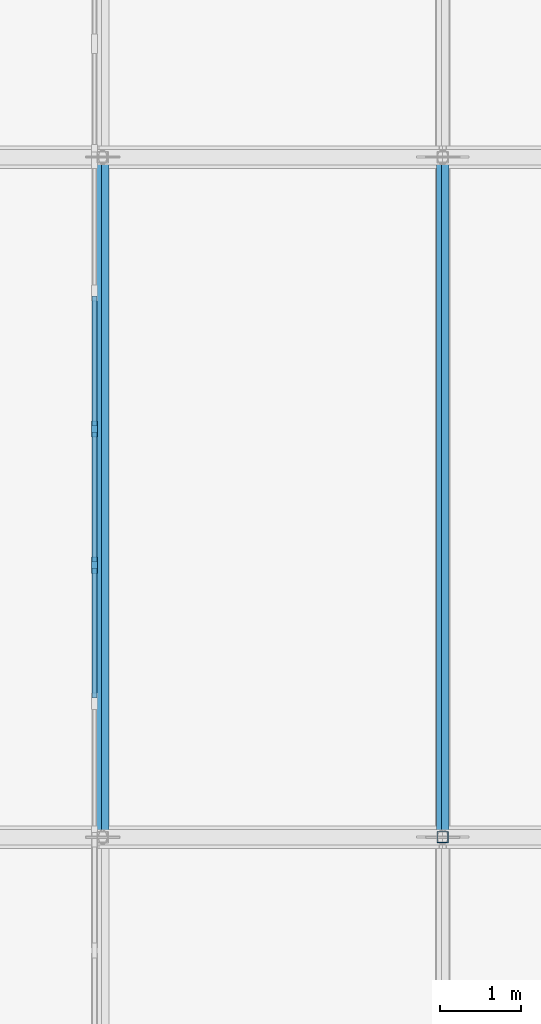
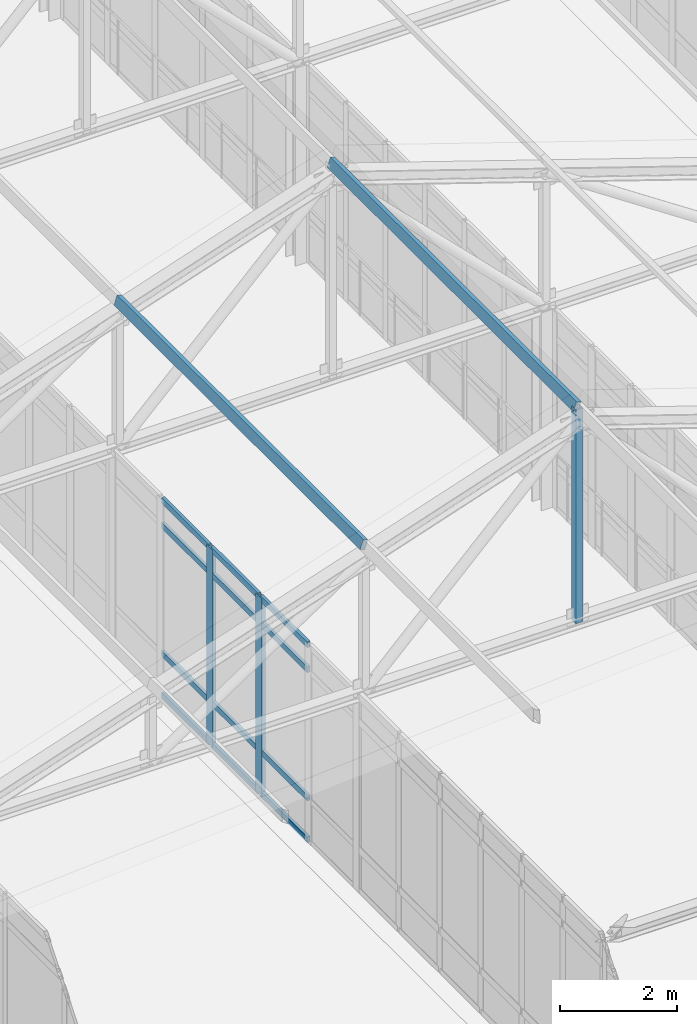
# One storey, part 48 of 192: 17 members, 1 element without a shape of its own.
"""IFC4 building model written with IfcOpenShell, lengths in metres."""

from ifc_helpers import new_model, si_unit, direction, frame, origin, origin_2d, place, context, subcontext, project, spatial, rectangle, hollow_rectangle, extrude, material, layer, layer_set, material_profile, profile_set, type_object, element, aggregate, save


model = new_model("IFC4")

# Units and contexts
model_context = context("Model", 3, precision=1e-05, world=origin(), true_north=direction((0.0, 1.0)))
body_context = subcontext(model_context, "Body", "Model", "MODEL_VIEW")
ifc_project = project(units=[si_unit("LENGTHUNIT", "METRE"), si_unit("AREAUNIT", "SQUARE_METRE"), si_unit("VOLUMEUNIT", "CUBIC_METRE"), si_unit("PLANEANGLEUNIT", "RADIAN"), si_unit("MASSUNIT", "GRAM", prefix="KILO")], contexts=[model_context])

# Site, building, storey
site_placement = place(None, origin())
site = spatial("IfcSite", under=ifc_project, at=site_placement, CompositionType="ELEMENT")
building_placement = place(site_placement, origin())
building = spatial("IfcBuilding", under=site, at=building_placement, Name="Kveldsbrygga Polytechnic", CompositionType="ELEMENT")
storey_placement = place(building_placement, frame((0.0, 0.0, 5.43994140625)))
storey = spatial("IfcBuildingStorey", under=building, at=storey_placement, Name="L01", CompositionType="ELEMENT", Elevation=5.43994140625)

# Curtain wall, members
ifc_material_1 = material(Name="Anodised aluminium AW-6060", Category="aluminium")
ifc_layer = layer(ifc_material_1, 0.18994140625)
ifc_layer_set = layer_set([ifc_layer], Name="Anodised aluminium AW-6060")
curtain_wall_type = type_object("IfcCurtainWallType", Name="CW-REFC-G", PredefinedType="USERDEFINED", material=ifc_layer_set)
curtain_wall_placement = place(storey_placement, origin())
curtain_wall = element("IfcCurtainWall", 1, at=curtain_wall_placement, inside=storey, type_object=curtain_wall_type, Name="Curtain Wall CW-L01-Y-07-05", ObjectType="UNITISED CURTAIN WALL", PredefinedType="USERDEFINED")
ifc_material_profile_1 = material_profile(ifc_material_1, rectangle(XDim=0.074951171875, YDim=0.199951171875, at=origin_2d()), Name="ALU 75x200")
ifc_profile_set_1 = profile_set([ifc_material_profile_1], Name="Anodised aluminium AW-6060")
member_type_1 = type_object("IfcMemberType", Name="CW-MUL-200", PredefinedType="MULLION", material=ifc_profile_set_1)
member_1_placement = place(storey_placement, frame((58.699951171875, 45.360107421875, 0.0), z_axis=(0.0, 0.0, 1.0), x_axis=(-1.0, 0.0, 0.0)))
member_1 = element("IfcMember", 2, at=member_1_placement, type_object=member_type_1, Name="CW-07 mullion 3", PredefinedType="MULLION", context=body_context, shape_type="SweptSolid", body=[
    extrude(rectangle(XDim=0.074951171875, YDim=0.199951171875, at=origin_2d()), origin(), (0.0, 0.0, 1.0), 4.1201171875),
])
member_2_placement = place(storey_placement, frame((58.699951171875, 47.0400390625, 0.0), z_axis=(0.0, 0.0, 1.0), x_axis=(-1.0, 0.0, 0.0)))
member_2 = element("IfcMember", 3, at=member_2_placement, type_object=member_type_1, Name="CW-07 mullion 4", PredefinedType="MULLION", context=body_context, shape_type="SweptSolid", body=[
    extrude(rectangle(XDim=0.074951171875, YDim=0.199951171875, at=origin_2d()), origin(), (0.0, 0.0, 1.0), 4.1201171875),
])
ifc_material_profile_2 = material_profile(ifc_material_1, rectangle(XDim=0.06005859375, YDim=0.1201171875, at=origin_2d()), Name="ALU 60x120")
ifc_profile_set_2 = profile_set([ifc_material_profile_2], Name="Anodised aluminium AW-6060")
member_type_2 = type_object("IfcMemberType", Name="CW-TRN-120", PredefinedType="USERDEFINED", material=ifc_profile_set_2)
member_3_placement = place(storey_placement, frame((58.699951171875, 43.717529296875, 0.030029296875), z_axis=(0.0, 1.0, 0.0), x_axis=(-1.0, 0.0, 0.0)))
member_3 = element("IfcMember", 4, at=member_3_placement, type_object=member_type_2, Name="CW-07 transom 2.1", ObjectType="TRANSOM", PredefinedType="USERDEFINED", context=body_context, shape_type="SweptSolid", body=[
    extrude(rectangle(XDim=0.06005859375, YDim=0.1201171875, at=origin_2d()), origin(), (0.0, 0.0, 1.0), 1.60498046875),
])
member_4_placement = place(storey_placement, frame((58.699951171875, 43.717529296875, 0.900146484375), z_axis=(0.0, 1.0, 0.0), x_axis=(-1.0, 0.0, 0.0)))
member_4 = element("IfcMember", 5, at=member_4_placement, type_object=member_type_2, Name="CW-07 transom 2.2", ObjectType="TRANSOM", PredefinedType="USERDEFINED", context=body_context, shape_type="SweptSolid", body=[
    extrude(rectangle(XDim=0.06005859375, YDim=0.1201171875, at=origin_2d()), origin(), (0.0, 0.0, 1.0), 1.60498046875),
])
member_5_placement = place(storey_placement, frame((58.699951171875, 43.717529296875, 3.570068359375), z_axis=(0.0, 1.0, 0.0), x_axis=(-1.0, 0.0, 0.0)))
member_5 = element("IfcMember", 6, at=member_5_placement, type_object=member_type_2, Name="CW-07 transom 2.3", ObjectType="TRANSOM", PredefinedType="USERDEFINED", context=body_context, shape_type="SweptSolid", body=[
    extrude(rectangle(XDim=0.06005859375, YDim=0.1201171875, at=origin_2d()), origin(), (0.0, 0.0, 1.0), 1.60498046875),
])
member_6_placement = place(storey_placement, frame((58.699951171875, 43.717529296875, 4.090087890625), z_axis=(0.0, 1.0, 0.0), x_axis=(-1.0, 0.0, 0.0)))
member_6 = element("IfcMember", 7, at=member_6_placement, type_object=member_type_2, Name="CW-07 transom 2.4", ObjectType="TRANSOM", PredefinedType="USERDEFINED", context=body_context, shape_type="SweptSolid", body=[
    extrude(rectangle(XDim=0.06005859375, YDim=0.1201171875, at=origin_2d()), origin(), (0.0, 0.0, 1.0), 1.60498046875),
])
member_7_placement = place(storey_placement, frame((58.699951171875, 45.3974609375, 0.030029296875), z_axis=(0.0, 1.0, 0.0), x_axis=(-1.0, 0.0, 0.0)))
member_7 = element("IfcMember", 8, at=member_7_placement, type_object=member_type_2, Name="CW-07 transom 3.1", ObjectType="TRANSOM", PredefinedType="USERDEFINED", context=body_context, shape_type="SweptSolid", body=[
    extrude(rectangle(XDim=0.06005859375, YDim=0.1201171875, at=origin_2d()), origin(), (0.0, 0.0, 1.0), 1.60498046875),
])
member_8_placement = place(storey_placement, frame((58.699951171875, 45.3974609375, 0.900146484375), z_axis=(0.0, 1.0, 0.0), x_axis=(-1.0, 0.0, 0.0)))
member_8 = element("IfcMember", 9, at=member_8_placement, type_object=member_type_2, Name="CW-07 transom 3.2", ObjectType="TRANSOM", PredefinedType="USERDEFINED", context=body_context, shape_type="SweptSolid", body=[
    extrude(rectangle(XDim=0.06005859375, YDim=0.1201171875, at=origin_2d()), origin(), (0.0, 0.0, 1.0), 1.60498046875),
])
member_9_placement = place(storey_placement, frame((58.699951171875, 45.3974609375, 3.570068359375), z_axis=(0.0, 1.0, 0.0), x_axis=(-1.0, 0.0, 0.0)))
member_9 = element("IfcMember", 10, at=member_9_placement, type_object=member_type_2, Name="CW-07 transom 3.3", ObjectType="TRANSOM", PredefinedType="USERDEFINED", context=body_context, shape_type="SweptSolid", body=[
    extrude(rectangle(XDim=0.06005859375, YDim=0.1201171875, at=origin_2d()), origin(), (0.0, 0.0, 1.0), 1.60498046875),
])
member_10_placement = place(storey_placement, frame((58.699951171875, 45.3974609375, 4.090087890625), z_axis=(0.0, 1.0, 0.0), x_axis=(-1.0, 0.0, 0.0)))
member_10 = element("IfcMember", 11, at=member_10_placement, type_object=member_type_2, Name="CW-07 transom 3.4", ObjectType="TRANSOM", PredefinedType="USERDEFINED", context=body_context, shape_type="SweptSolid", body=[
    extrude(rectangle(XDim=0.06005859375, YDim=0.1201171875, at=origin_2d()), origin(), (0.0, 0.0, 1.0), 1.60498046875),
])
member_11_placement = place(storey_placement, frame((58.699951171875, 47.077392578125, 0.030029296875), z_axis=(0.0, 1.0, 0.0), x_axis=(-1.0, 0.0, 0.0)))
member_11 = element("IfcMember", 12, at=member_11_placement, type_object=member_type_2, Name="CW-07 transom 4.1", ObjectType="TRANSOM", PredefinedType="USERDEFINED", context=body_context, shape_type="SweptSolid", body=[
    extrude(rectangle(XDim=0.06005859375, YDim=0.1201171875, at=origin_2d()), origin(), (0.0, 0.0, 1.0), 1.605224609375),
])
member_12_placement = place(storey_placement, frame((58.699951171875, 47.077392578125, 0.900146484375), z_axis=(0.0, 1.0, 0.0), x_axis=(-1.0, 0.0, 0.0)))
member_12 = element("IfcMember", 13, at=member_12_placement, type_object=member_type_2, Name="CW-07 transom 4.2", ObjectType="TRANSOM", PredefinedType="USERDEFINED", context=body_context, shape_type="SweptSolid", body=[
    extrude(rectangle(XDim=0.06005859375, YDim=0.1201171875, at=origin_2d()), origin(), (0.0, 0.0, 1.0), 1.605224609375),
])
member_13_placement = place(storey_placement, frame((58.699951171875, 47.077392578125, 3.570068359375), z_axis=(0.0, 1.0, 0.0), x_axis=(-1.0, 0.0, 0.0)))
member_13 = element("IfcMember", 14, at=member_13_placement, type_object=member_type_2, Name="CW-07 transom 4.3", ObjectType="TRANSOM", PredefinedType="USERDEFINED", context=body_context, shape_type="SweptSolid", body=[
    extrude(rectangle(XDim=0.06005859375, YDim=0.1201171875, at=origin_2d()), origin(), (0.0, 0.0, 1.0), 1.605224609375),
])
member_14_placement = place(storey_placement, frame((58.699951171875, 47.077392578125, 4.090087890625), z_axis=(0.0, 1.0, 0.0), x_axis=(-1.0, 0.0, 0.0)))
member_14 = element("IfcMember", 15, at=member_14_placement, type_object=member_type_2, Name="CW-07 transom 4.4", ObjectType="TRANSOM", PredefinedType="USERDEFINED", context=body_context, shape_type="SweptSolid", body=[
    extrude(rectangle(XDim=0.06005859375, YDim=0.1201171875, at=origin_2d()), origin(), (0.0, 0.0, 1.0), 1.605224609375),
])
aggregate(curtain_wall, [member_1, member_2, member_3, member_4, member_5, member_6, member_7, member_8, member_9, member_10, member_11, member_12, member_13, member_14])

# Members
ifc_material_2 = material(Name="Steel S355", Category="steel")
ifc_material_profile_3 = material_profile(ifc_material_2, hollow_rectangle(XDim=0.10009765625, YDim=0.199951171875, WallThickness=0.010009765625, at=origin_2d()), Name="RHS 200x100x10.0")
ifc_profile_set_3 = profile_set([ifc_material_profile_3], Name="Steel S355")
member_type_3 = type_object("IfcMemberType", Name="PRL-RHS200", PredefinedType="PURLIN", material=ifc_profile_set_3)
for number, where, z_axis, x_axis, name in (
    (16, (58.800048828125, 42.0, 7.173095703125), (0.0, 1.0, 0.0), (-0.948683567514, 0.0, 0.316226957624), "Roof Purlin V5C-PRL-5-2"),
    (17, (63.0, 42.0, 8.572998046875), (0.0, 1.0, 0.0), (-0.948683567514, 0.0, 0.316226957624), "Roof Purlin V5C-PRL-5-3"),
):
    element("IfcMember", number, at=place(storey_placement, frame(where, z_axis=z_axis, x_axis=x_axis)), inside=storey, type_object=member_type_3, Name=name, PredefinedType="PURLIN", context=body_context, shape_type="SweptSolid", body=[
        extrude(hollow_rectangle(XDim=0.10009765625, YDim=0.199951171875, WallThickness=0.010009765625, at=origin_2d()), origin(), (0.0, 0.0, 1.0), 8.39990234375),
    ])
ifc_material_profile_4 = material_profile(ifc_material_2, hollow_rectangle(XDim=0.139892578125, YDim=0.139892578125, WallThickness=0.008056640625, at=origin_2d()), Name="SHS 140x140x8.0")
ifc_profile_set_4 = profile_set([ifc_material_profile_4], Name="Steel S355")
member_type_4 = type_object("IfcMemberType", Name="TR-POST-SHS140", PredefinedType="STRUT", material=ifc_profile_set_4)
member_15_placement = place(storey_placement, frame((63.0, 42.0, 4.1201171875), z_axis=(0.0, 0.0, 1.0), x_axis=(1.0, 0.0, 0.0)))
element("IfcMember", 18, at=member_15_placement, inside=storey, type_object=member_type_4, Name="Truss Vertical V5C-T05-VT-3", PredefinedType="STRUT", context=body_context, shape_type="SweptSolid", body=[
    extrude(hollow_rectangle(XDim=0.139892578125, YDim=0.139892578125, WallThickness=0.008056640625, at=origin_2d()), origin(), (0.0, 0.0, 1.0), 4.452880859375),
])

save(model, "model.ifc")
